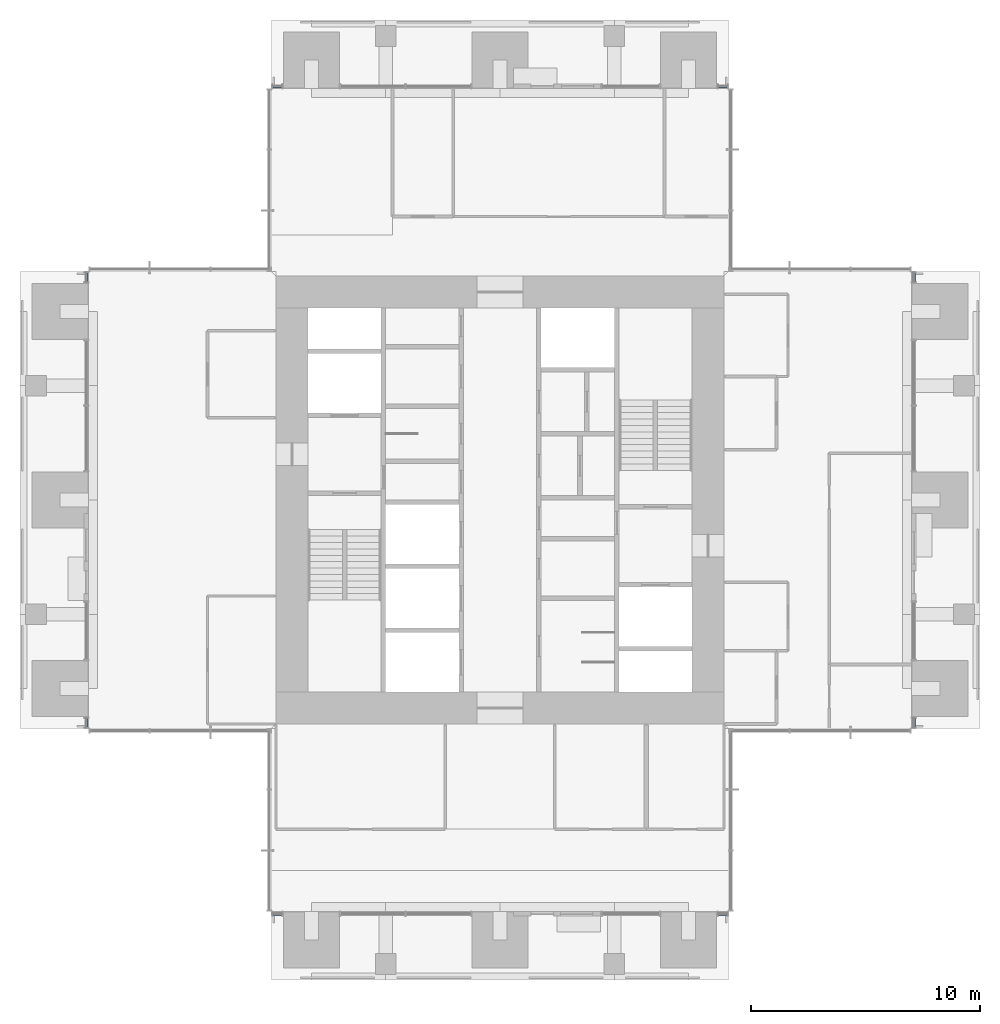
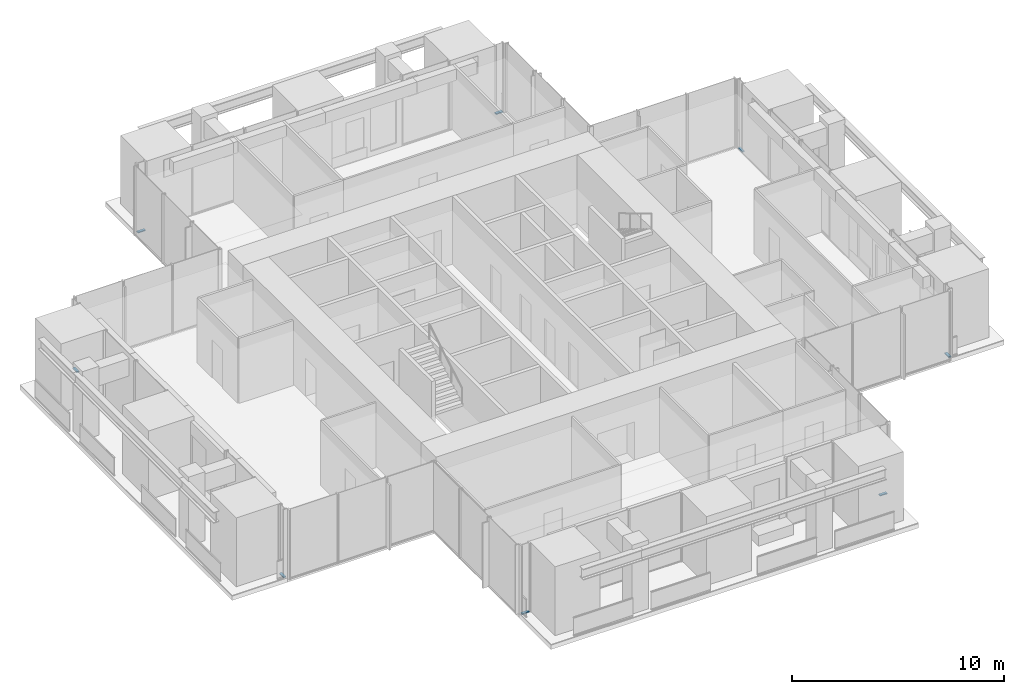
# One storey, part 6 of 17: 8 members, 8 elements without a shape of their own.
"""IFC4 building model written with IfcOpenShell, lengths in metres."""

from ifc_helpers import new_model, si_unit, direction, frame, origin, origin_2d, place, context, subcontext, project, spatial, rectangle, extrude, material, material_profile, profile_set, type_object, element, aggregate, save


model = new_model("IFC4")

# Units and contexts
model_context = context("Model", 3, precision=1e-05, world=origin(), true_north=direction((0.0, 1.0)))
body_context = subcontext(model_context, "Body", "Model", "MODEL_VIEW")
ifc_project = project(units=[si_unit("LENGTHUNIT", "METRE"), si_unit("AREAUNIT", "SQUARE_METRE"), si_unit("VOLUMEUNIT", "CUBIC_METRE"), si_unit("PLANEANGLEUNIT", "RADIAN"), si_unit("MASSUNIT", "GRAM", prefix="KILO")], contexts=[model_context])

# Site, building, storey
site_placement = place(None, origin())
site = spatial("IfcSite", under=ifc_project, at=site_placement, CompositionType="ELEMENT")
building_placement = place(site_placement, origin())
building = spatial("IfcBuilding", under=site, at=building_placement, Name="Svetlomir Tower", CompositionType="ELEMENT")
storey_placement = place(building_placement, frame((0.0, 0.0, 226.5)))
storey = spatial("IfcBuildingStorey", under=building, at=storey_placement, Name="L54", CompositionType="ELEMENT", Elevation=226.5)

# Curtain wall, member
ifc_material_1 = material(Name="Bronze anodised aluminium curtain wall", Category="aluminium")
curtain_wall_type = type_object("IfcCurtainWallType", Name="CURTAIN WALL CW1 TOWER OFFICE", PredefinedType="NOTDEFINED", material=ifc_material_1)
curtain_wall_1_placement = place(storey_placement, origin())
curtain_wall_1 = element("IfcCurtainWall", 1, at=curtain_wall_1_placement, inside=storey, type_object=curtain_wall_type, Name="Curtain wall CW1 L54", PredefinedType="NOTDEFINED")
ifc_material_2 = material(Name="Bronze anodised aluminium", Category="aluminium")
ifc_material_profile = material_profile(ifc_material_2, rectangle(XDim=0.139892578125, YDim=0.06494140625, at=origin_2d()), Name="AL 140x65")
ifc_profile_set = profile_set([ifc_material_profile], Name="Bronze anodised aluminium 6063-T6")
member_type = type_object("IfcMemberType", Name="CW1 TRANSOM 65x140", PredefinedType="USERDEFINED", material=ifc_profile_set)
member_1_placement = place(storey_placement, frame((11.06494140625, 2.89990234375, 0.032470703125), z_axis=(1.0, 0.0, 0.0), x_axis=(0.0, 1.0, 0.0)))
member_1 = element("IfcMember", 2, at=member_1_placement, type_object=member_type, Name="CW1 transom 1.1", ObjectType="TRANSOM", PredefinedType="USERDEFINED", context=body_context, shape_type="SweptSolid", body=[
    extrude(rectangle(XDim=0.139892578125, YDim=0.06494140625, at=origin_2d()), origin(), (0.0, 0.0, 1.0), 0.39501953125),
])
aggregate(curtain_wall_1, [member_1])

curtain_wall_2_placement = place(storey_placement, origin())
curtain_wall_2 = element("IfcCurtainWall", 3, at=curtain_wall_2_placement, inside=storey, type_object=curtain_wall_type, Name="Curtain wall CW1 L54", PredefinedType="NOTDEFINED")
member_2_placement = place(storey_placement, frame((30.5400390625, 2.89990234375, 0.032470703125), z_axis=(1.0, 0.0, 0.0), x_axis=(0.0, 1.0, 0.0)))
member_2 = element("IfcMember", 4, at=member_2_placement, type_object=member_type, Name="CW1 transom 1.1", ObjectType="TRANSOM", PredefinedType="USERDEFINED", context=body_context, shape_type="SweptSolid", body=[
    extrude(rectangle(XDim=0.139892578125, YDim=0.06494140625, at=origin_2d()), origin(), (0.0, 0.0, 1.0), 0.39501953125),
])
aggregate(curtain_wall_2, [member_2])

curtain_wall_3_placement = place(storey_placement, origin())
curtain_wall_3 = element("IfcCurtainWall", 5, at=curtain_wall_3_placement, inside=storey, type_object=curtain_wall_type, Name="Curtain wall CW1 L54", PredefinedType="NOTDEFINED")
member_3_placement = place(storey_placement, frame((39.10009765625, 11.06494140625, 0.032470703125), z_axis=(0.0, 1.0, 0.0), x_axis=(-1.0, 0.0, 0.0)))
member_3 = element("IfcMember", 6, at=member_3_placement, type_object=member_type, Name="CW1 transom 1.1", ObjectType="TRANSOM", PredefinedType="USERDEFINED", context=body_context, shape_type="SweptSolid", body=[
    extrude(rectangle(XDim=0.139892578125, YDim=0.06494140625, at=origin_2d()), origin(), (0.0, 0.0, 1.0), 0.39501953125),
])
aggregate(curtain_wall_3, [member_3])

curtain_wall_4_placement = place(storey_placement, origin())
curtain_wall_4 = element("IfcCurtainWall", 7, at=curtain_wall_4_placement, inside=storey, type_object=curtain_wall_type, Name="Curtain wall CW1 L54", PredefinedType="NOTDEFINED")
member_4_placement = place(storey_placement, frame((39.10009765625, 30.5400390625, 0.032470703125), z_axis=(0.0, 1.0, 0.0), x_axis=(-1.0, 0.0, 0.0)))
member_4 = element("IfcMember", 8, at=member_4_placement, type_object=member_type, Name="CW1 transom 1.1", ObjectType="TRANSOM", PredefinedType="USERDEFINED", context=body_context, shape_type="SweptSolid", body=[
    extrude(rectangle(XDim=0.139892578125, YDim=0.06494140625, at=origin_2d()), origin(), (0.0, 0.0, 1.0), 0.39501953125),
])
aggregate(curtain_wall_4, [member_4])

curtain_wall_5_placement = place(storey_placement, origin())
curtain_wall_5 = element("IfcCurtainWall", 9, at=curtain_wall_5_placement, inside=storey, type_object=curtain_wall_type, Name="Curtain wall CW1 L54", PredefinedType="NOTDEFINED")
member_5_placement = place(storey_placement, frame((30.93505859375, 39.10009765625, 0.032470703125), z_axis=(-1.0, 0.0, 0.0), x_axis=(0.0, -1.0, 0.0)))
member_5 = element("IfcMember", 10, at=member_5_placement, type_object=member_type, Name="CW1 transom 1.1", ObjectType="TRANSOM", PredefinedType="USERDEFINED", context=body_context, shape_type="SweptSolid", body=[
    extrude(rectangle(XDim=0.139892578125, YDim=0.06494140625, at=origin_2d()), origin(), (0.0, 0.0, 1.0), 0.39501953125),
])
aggregate(curtain_wall_5, [member_5])

curtain_wall_6_placement = place(storey_placement, origin())
curtain_wall_6 = element("IfcCurtainWall", 11, at=curtain_wall_6_placement, inside=storey, type_object=curtain_wall_type, Name="Curtain wall CW1 L54", PredefinedType="NOTDEFINED")
member_6_placement = place(storey_placement, frame((11.4599609375, 39.10009765625, 0.032470703125), z_axis=(-1.0, 0.0, 0.0), x_axis=(0.0, -1.0, 0.0)))
member_6 = element("IfcMember", 12, at=member_6_placement, type_object=member_type, Name="CW1 transom 1.1", ObjectType="TRANSOM", PredefinedType="USERDEFINED", context=body_context, shape_type="SweptSolid", body=[
    extrude(rectangle(XDim=0.139892578125, YDim=0.06494140625, at=origin_2d()), origin(), (0.0, 0.0, 1.0), 0.39501953125),
])
aggregate(curtain_wall_6, [member_6])

curtain_wall_7_placement = place(storey_placement, origin())
curtain_wall_7 = element("IfcCurtainWall", 13, at=curtain_wall_7_placement, inside=storey, type_object=curtain_wall_type, Name="Curtain wall CW1 L54", PredefinedType="NOTDEFINED")
member_7_placement = place(storey_placement, frame((2.89990234375, 30.93505859375, 0.032470703125), z_axis=(0.0, -1.0, 0.0), x_axis=(1.0, 0.0, 0.0)))
member_7 = element("IfcMember", 14, at=member_7_placement, type_object=member_type, Name="CW1 transom 1.1", ObjectType="TRANSOM", PredefinedType="USERDEFINED", context=body_context, shape_type="SweptSolid", body=[
    extrude(rectangle(XDim=0.139892578125, YDim=0.06494140625, at=origin_2d()), origin(), (0.0, 0.0, 1.0), 0.39501953125),
])
aggregate(curtain_wall_7, [member_7])

curtain_wall_8_placement = place(storey_placement, origin())
curtain_wall_8 = element("IfcCurtainWall", 15, at=curtain_wall_8_placement, inside=storey, type_object=curtain_wall_type, Name="Curtain wall CW1 L54", PredefinedType="NOTDEFINED")
member_8_placement = place(storey_placement, frame((2.89990234375, 11.4599609375, 0.032470703125), z_axis=(0.0, -1.0, 0.0), x_axis=(1.0, 0.0, 0.0)))
member_8 = element("IfcMember", 16, at=member_8_placement, type_object=member_type, Name="CW1 transom 1.1", ObjectType="TRANSOM", PredefinedType="USERDEFINED", context=body_context, shape_type="SweptSolid", body=[
    extrude(rectangle(XDim=0.139892578125, YDim=0.06494140625, at=origin_2d()), origin(), (0.0, 0.0, 1.0), 0.39501953125),
])
aggregate(curtain_wall_8, [member_8])

save(model, "model.ifc")
